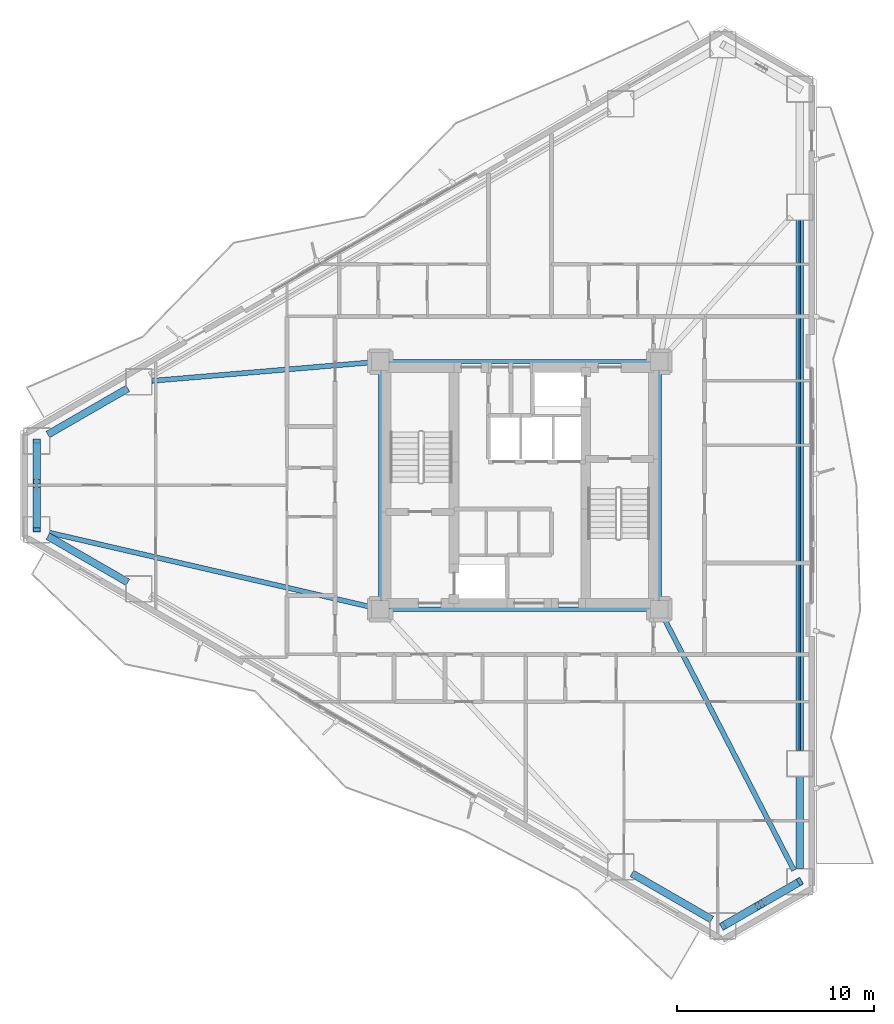
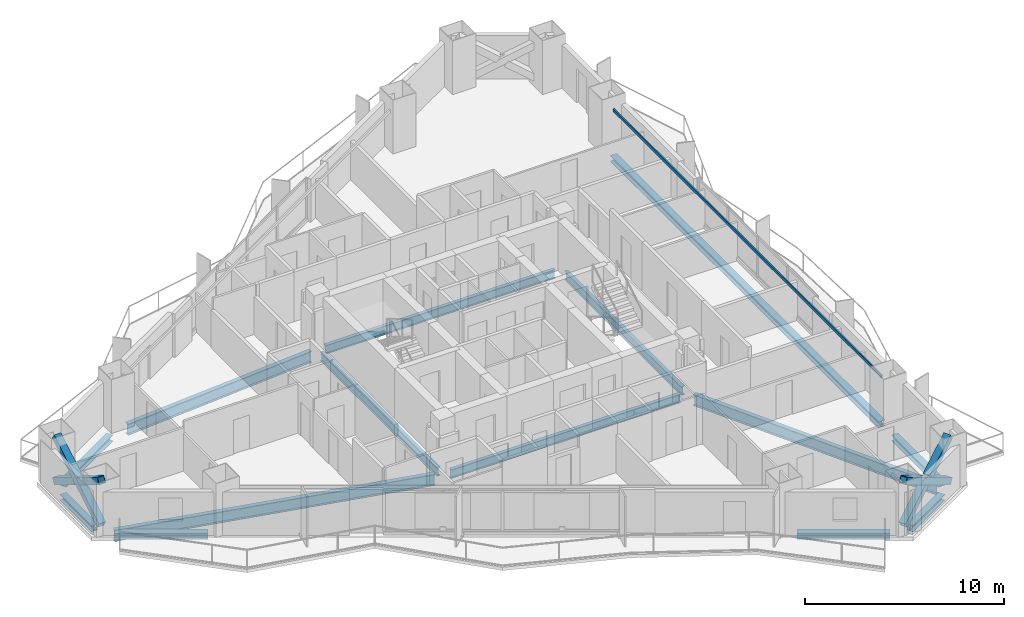
# One storey, part 5 of 19: 15 beams, 6 members.
"""IFC4 building model written with IfcOpenShell, lengths in metres."""

from ifc_helpers import new_model, si_unit, direction, frame, origin, origin_2d, place, context, subcontext, project, spatial, hollow_rectangle, i_section, extrude, material, material_profile, profile_set, type_object, element, save


model = new_model("IFC4")

# Units and contexts
model_context = context("Model", 3, precision=1e-05, world=origin(), true_north=direction((0.0, 1.0)))
body_context = subcontext(model_context, "Body", "Model", "MODEL_VIEW")
ifc_project = project(units=[si_unit("LENGTHUNIT", "METRE"), si_unit("AREAUNIT", "SQUARE_METRE"), si_unit("VOLUMEUNIT", "CUBIC_METRE"), si_unit("PLANEANGLEUNIT", "RADIAN"), si_unit("MASSUNIT", "GRAM", prefix="KILO")], contexts=[model_context])

# Site, building, storey
site_placement = place(None, origin())
site = spatial("IfcSite", under=ifc_project, at=site_placement, CompositionType="ELEMENT")
building_placement = place(site_placement, origin())
building = spatial("IfcBuilding", under=site, at=building_placement, Name="Mersakhor Tower and Convention Hall", CompositionType="ELEMENT")
storey_placement = place(building_placement, frame((0.0, 0.0, 45.60009765625)))
storey = spatial("IfcBuildingStorey", under=building, at=storey_placement, Name="L12", CompositionType="ELEMENT", Elevation=45.60009765625)

# Beams
ifc_material_1 = material(Name="Steel S355", Category="steel")
ifc_material_profile_1 = material_profile(ifc_material_1, i_section(OverallWidth=0.2099609375, OverallDepth=0.53662109375, WebThickness=0.0107421875, FlangeThickness=0.017333984375, at=origin_2d()), Name="UB 533x210x101")
ifc_profile_set_1 = profile_set([ifc_material_profile_1], Name="Steel S355")
beam_type_1 = type_object("IfcBeamType", Name="BM-FB-533", PredefinedType="BEAM", material=ifc_profile_set_1)
beam_1_placement = place(storey_placement, frame((21.89990234375, 20.8798828125, -0.5283203125), z_axis=(0.0, 1.0, 0.0), x_axis=(-1.0, 0.0, 0.0)))
element("IfcBeam", 1, at=beam_1_placement, inside=storey, type_object=beam_type_1, Name="L12 Core Ring Tie Beam CRB-1", PredefinedType="BEAM", context=body_context, shape_type="SweptSolid", body=[
    extrude(i_section(OverallWidth=0.2099609375, OverallDepth=0.53662109375, WebThickness=0.0107421875, FlangeThickness=0.017333984375, at=origin_2d()), origin(), (0.0, 0.0, 1.0), 11.740234375),
])
beam_2_placement = place(storey_placement, frame((22.330078125, 33.050048828125, -0.5283203125), z_axis=(1.0, 0.0, 0.0), x_axis=(0.0, 1.0, 0.0)))
element("IfcBeam", 2, at=beam_2_placement, inside=storey, type_object=beam_type_1, Name="L12 Core Ring Tie Beam CRB-2", PredefinedType="BEAM", context=body_context, shape_type="SweptSolid", body=[
    extrude(i_section(OverallWidth=0.2099609375, OverallDepth=0.53662109375, WebThickness=0.0107421875, FlangeThickness=0.017333984375, at=origin_2d()), origin(), (0.0, 0.0, 1.0), 13.33984375),
])
beam_3_placement = place(storey_placement, frame((36.10009765625, 32.6201171875, -0.5283203125), z_axis=(0.0, -1.0, 0.0), x_axis=(1.0, 0.0, 0.0)))
element("IfcBeam", 3, at=beam_3_placement, inside=storey, type_object=beam_type_1, Name="L12 Core Ring Tie Beam CRB-3", PredefinedType="BEAM", context=body_context, shape_type="SweptSolid", body=[
    extrude(i_section(OverallWidth=0.2099609375, OverallDepth=0.53662109375, WebThickness=0.0107421875, FlangeThickness=0.017333984375, at=origin_2d()), origin(), (0.0, 0.0, 1.0), 11.740234375),
])
beam_4_placement = place(storey_placement, frame((35.669921875, 20.449951171875, -0.5283203125), z_axis=(-1.0, 0.0, 0.0), x_axis=(0.0, -1.0, 0.0)))
element("IfcBeam", 4, at=beam_4_placement, inside=storey, type_object=beam_type_1, Name="L12 Core Ring Tie Beam CRB-4", PredefinedType="BEAM", context=body_context, shape_type="SweptSolid", body=[
    extrude(i_section(OverallWidth=0.2099609375, OverallDepth=0.53662109375, WebThickness=0.0107421875, FlangeThickness=0.017333984375, at=origin_2d()), origin(), (0.0, 0.0, 1.0), 13.33984375),
])
ifc_material_2 = material(Name="Steel S355", Category="steel")
ifc_material_profile_2 = material_profile(ifc_material_2, hollow_rectangle(XDim=0.080078125, YDim=0.179931640625, WallThickness=0.008056640625, at=origin_2d()), Name="RHS 180x80x8")
ifc_profile_set_2 = profile_set([ifc_material_profile_2], Name="Steel S355")
beam_type_2 = type_object("IfcBeamType", Name="BM-GRT-RHS180", PredefinedType="USERDEFINED", material=ifc_profile_set_2)
beam_5_placement = place(storey_placement, frame((43.25, 40.24951171875, 2.47998046875), z_axis=(0.0, -1.0, 0.0), x_axis=(1.0, 0.0, 0.0)))
element("IfcBeam", 5, at=beam_5_placement, inside=storey, type_object=beam_type_2, Name="L12 Facade Support Girt GRT-F2", ObjectType="GIRT", PredefinedType="USERDEFINED", context=body_context, shape_type="SweptSolid", body=[
    extrude(hollow_rectangle(XDim=0.080078125, YDim=0.179931640625, WallThickness=0.008056640625, at=origin_2d()), origin(), (0.0, 0.0, 1.0), 26.9990234375),
])
ifc_material_3 = material(Name="Steel S355", Category="steel")
ifc_material_profile_3 = material_profile(ifc_material_3, i_section(OverallWidth=0.25439453125, OverallDepth=0.6875, WebThickness=0.01318359375, FlangeThickness=0.02099609375, at=origin_2d()), Name="UB 686x254x152")
ifc_profile_set_3 = profile_set([ifc_material_profile_3], Name="Steel S355")
beam_type_3 = type_object("IfcBeamType", Name="BM-PR-686", PredefinedType="BEAM", material=ifc_profile_set_3)
beam_6_placement = place(storey_placement, frame((21.471435546875, 33.013916015625, -0.603759765625), z_axis=(-0.996458345442, -0.084087845732, 0.0), x_axis=(0.084087845732, -0.996458345442, 0.0)))
element("IfcBeam", 6, at=beam_6_placement, inside=storey, type_object=beam_type_3, Name="L12 Primary Floor Girder FG-1", PredefinedType="BEAM", context=body_context, shape_type="SweptSolid", body=[
    extrude(i_section(OverallWidth=0.25439453125, OverallDepth=0.6875, WebThickness=0.01318359375, FlangeThickness=0.02099609375, at=origin_2d()), origin(), (0.0, 0.0, 1.0), 11.241943359375),
])
beam_7_placement = place(storey_placement, frame((36.297119140625, 20.06787109375, -0.603759765625), z_axis=(0.458368239331, -0.888762373851, 0.0), x_axis=(0.888762373851, 0.458368239331, 0.0)))
element("IfcBeam", 7, at=beam_7_placement, inside=storey, type_object=beam_type_3, Name="L12 Primary Floor Girder FG-4", PredefinedType="BEAM", context=body_context, shape_type="SweptSolid", body=[
    extrude(i_section(OverallWidth=0.25439453125, OverallDepth=0.6875, WebThickness=0.01318359375, FlangeThickness=0.02099609375, at=origin_2d()), origin(), (0.0, 0.0, 1.0), 14.513671875),
])
beam_8_placement = place(storey_placement, frame((21.48095703125, 20.546875, -0.603759765625), z_axis=(-0.974327224334, 0.225136536175, 0.0), x_axis=(-0.225136536175, -0.974327224334, 0.0)))
element("IfcBeam", 8, at=beam_8_placement, inside=storey, type_object=beam_type_3, Name="L12 Primary Floor Girder FG-6", PredefinedType="BEAM", context=body_context, shape_type="SweptSolid", body=[
    extrude(i_section(OverallWidth=0.25439453125, OverallDepth=0.6875, WebThickness=0.01318359375, FlangeThickness=0.02099609375, at=origin_2d()), origin(), (0.0, 0.0, 1.0), 16.862548828125),
])
ifc_material_4 = material(Name="Steel S355", Category="steel")
ifc_material_profile_4 = material_profile(ifc_material_4, i_section(OverallWidth=0.374755859375, OverallDepth=0.37451171875, WebThickness=0.0166015625, FlangeThickness=0.027099609375, at=origin_2d()), Name="UC 356x368x202")
ifc_profile_set_4 = profile_set([ifc_material_profile_4], Name="Steel S355")
beam_type_4 = type_object("IfcBeamType", Name="BM-SPD-UC356", PredefinedType="SPANDREL", material=ifc_profile_set_4)
beam_9_placement = place(storey_placement, frame((4.980224609375, 29.3369140625, -0.447509765625), z_axis=(0.86605407247, 0.499950341091, 0.0), x_axis=(-0.499950341091, 0.86605407247, 0.0)))
element("IfcBeam", 9, at=beam_9_placement, inside=storey, type_object=beam_type_4, Name="L12 Perimeter Spandrel Beam SPB-01", PredefinedType="SPANDREL", context=body_context, shape_type="SweptSolid", body=[
    extrude(i_section(OverallWidth=0.374755859375, OverallDepth=0.37451171875, WebThickness=0.0166015625, FlangeThickness=0.027099609375, at=origin_2d()), origin(), (0.0, 0.0, 1.0), 4.69873046875),
])
beam_10_placement = place(storey_placement, frame((43.25, 40.24951171875, -0.447509765625), z_axis=(0.0, -1.0, 0.0), x_axis=(1.0, 0.0, 0.0)))
element("IfcBeam", 10, at=beam_10_placement, inside=storey, type_object=beam_type_4, Name="L12 Perimeter Spandrel Beam SPB-06", PredefinedType="SPANDREL", context=body_context, shape_type="SweptSolid", body=[
    extrude(i_section(OverallWidth=0.374755859375, OverallDepth=0.37451171875, WebThickness=0.0166015625, FlangeThickness=0.027099609375, at=origin_2d()), origin(), (0.0, 0.0, 1.0), 26.9990234375),
])
beam_11_placement = place(storey_placement, frame((43.25, 11.9404296875, -0.447509765625), z_axis=(0.0, -1.0, 0.0), x_axis=(1.0, 0.0, 0.0)))
element("IfcBeam", 11, at=beam_11_placement, inside=storey, type_object=beam_type_4, Name="L12 Perimeter Spandrel Beam SPB-07", PredefinedType="SPANDREL", context=body_context, shape_type="SweptSolid", body=[
    extrude(i_section(OverallWidth=0.374755859375, OverallDepth=0.37451171875, WebThickness=0.0166015625, FlangeThickness=0.027099609375, at=origin_2d()), origin(), (0.0, 0.0, 1.0), 4.69873046875),
])
beam_12_placement = place(storey_placement, frame((42.682861328125, 6.25927734375, -0.447509765625), z_axis=(-0.866038607556, -0.4999771297, 0.0), x_axis=(0.4999771297, -0.866038607556, 0.0)))
element("IfcBeam", 12, at=beam_12_placement, inside=storey, type_object=beam_type_4, Name="L12 Perimeter Spandrel Beam SPB-08", PredefinedType="SPANDREL", context=body_context, shape_type="SweptSolid", body=[
    extrude(i_section(OverallWidth=0.374755859375, OverallDepth=0.37451171875, WebThickness=0.0166015625, FlangeThickness=0.027099609375, at=origin_2d()), origin(), (0.0, 0.0, 1.0), 3.208740234375),
])
for number, where, z_axis, x_axis, name in (
    (13, (38.769775390625, 4.655029296875, -0.447509765625), (-0.866031574723, 0.499989311469, 0.0), (-0.499989311469, -0.866031574723, 0.0), "L12 Perimeter Spandrel Beam SPB-09"),
    (14, (9.049560546875, 21.81396484375, -0.447509765625), (-0.86605407247, 0.499950341091, 0.0), (-0.499950341091, -0.86605407247, 0.0), "L12 Perimeter Spandrel Beam SPB-11"),
):
    element("IfcBeam", number, at=place(storey_placement, frame(where, z_axis=z_axis, x_axis=x_axis)), inside=storey, type_object=beam_type_4, Name=name, PredefinedType="SPANDREL", context=body_context, shape_type="SweptSolid", body=[
        extrude(i_section(OverallWidth=0.374755859375, OverallDepth=0.37451171875, WebThickness=0.0166015625, FlangeThickness=0.027099609375, at=origin_2d()), origin(), (0.0, 0.0, 1.0), 4.69873046875),
    ])
beam_13_placement = place(storey_placement, frame((4.4130859375, 25.145751953125, -0.447509765625), z_axis=(0.0, 1.0, 0.0), x_axis=(-1.0, 0.0, 0.0)))
element("IfcBeam", 15, at=beam_13_placement, inside=storey, type_object=beam_type_4, Name="L12 Perimeter Spandrel Beam SPB-12", PredefinedType="SPANDREL", context=body_context, shape_type="SweptSolid", body=[
    extrude(i_section(OverallWidth=0.374755859375, OverallDepth=0.37451171875, WebThickness=0.0166015625, FlangeThickness=0.027099609375, at=origin_2d()), origin(), (0.0, 0.0, 1.0), 3.20849609375),
])

# Members
ifc_material_5 = material(Name="Steel S460", Category="steel")
ifc_material_profile_5 = material_profile(ifc_material_5, hollow_rectangle(XDim=0.39990234375, YDim=0.39990234375, WallThickness=0.02490234375, at=origin_2d()), Name="SHS 400x400x25")
ifc_profile_set_5 = profile_set([ifc_material_profile_5], Name="Steel S460")
member_type = type_object("IfcMemberType", Name="MB-BRC-SHS400", PredefinedType="BRACE", material=ifc_profile_set_5)
member_1_placement = place(storey_placement, frame((43.25, 6.586669921875, 0.14990234375), z_axis=(-0.740507772322, -0.427542982597, 0.518512523632), x_axis=(0.500009315796, -0.86602002524, 0.0)))
element("IfcMember", 16, at=member_1_placement, inside=storey, type_object=member_type, Name="L12 Chamfer Braced Frame Diagonal CB-2A", PredefinedType="BRACE", context=body_context, shape_type="SweptSolid", body=[
    extrude(hollow_rectangle(XDim=0.39990234375, YDim=0.39990234375, WallThickness=0.02490234375, at=origin_2d()), origin(), (0.0, 0.0, 1.0), 5.284423828125),
])
for number, where, z_axis, x_axis, name in (
    (17, (39.3369140625, 4.327392578125, 0.14990234375), (0.740512106644, 0.427623949895, 0.518439560017), (-0.500078132948, 0.865980289006, 0.0), "L12 Chamfer Braced Frame Diagonal CB-2B Lower Half"),
    (18, (41.46630859375, 5.556884765625, 1.64111328125), (0.740544200614, 0.427541122117, 0.51846202931), (-0.499989236795, 0.866031617834, 0.0), "L12 Chamfer Braced Frame Diagonal CB-2B Upper Half"),
):
    element("IfcMember", number, at=place(storey_placement, frame(where, z_axis=z_axis, x_axis=x_axis)), inside=storey, type_object=member_type, Name=name, PredefinedType="BRACE", context=body_context, shape_type="SweptSolid", body=[
        extrude(hollow_rectangle(XDim=0.39990234375, YDim=0.39990234375, WallThickness=0.02490234375, at=origin_2d()), origin(), (0.0, 0.0, 1.0), 2.40869140625),
    ])
member_2_placement = place(storey_placement, frame((4.4130859375, 24.49072265625, 0.14990234375), z_axis=(0.0, 0.855074317009, 0.51850546033), x_axis=(-1.0, 0.0, 0.0)))
element("IfcMember", 19, at=member_2_placement, inside=storey, type_object=member_type, Name="L12 Chamfer Braced Frame Diagonal CB-3A", PredefinedType="BRACE", context=body_context, shape_type="SweptSolid", body=[
    extrude(hollow_rectangle(XDim=0.39990234375, YDim=0.39990234375, WallThickness=0.02490234375, at=origin_2d()), origin(), (0.0, 0.0, 1.0), 5.284423828125),
])
for number, where, z_axis, x_axis, name in (
    (20, (4.4130859375, 29.00927734375, 0.14990234375), (0.0, -0.855095703444, 0.518470190032), (1.0, 0.0, 0.0), "L12 Chamfer Braced Frame Diagonal CB-3B Lower Half"),
    (21, (4.4130859375, 26.55029296875, 1.64111328125), (0.0, -0.855095703444, 0.518470190032), (1.0, 0.0, 0.0), "L12 Chamfer Braced Frame Diagonal CB-3B Upper Half"),
):
    element("IfcMember", number, at=place(storey_placement, frame(where, z_axis=z_axis, x_axis=x_axis)), inside=storey, type_object=member_type, Name=name, PredefinedType="BRACE", context=body_context, shape_type="SweptSolid", body=[
        extrude(hollow_rectangle(XDim=0.39990234375, YDim=0.39990234375, WallThickness=0.02490234375, at=origin_2d()), origin(), (0.0, 0.0, 1.0), 2.40869140625),
    ])

save(model, "model.ifc")
